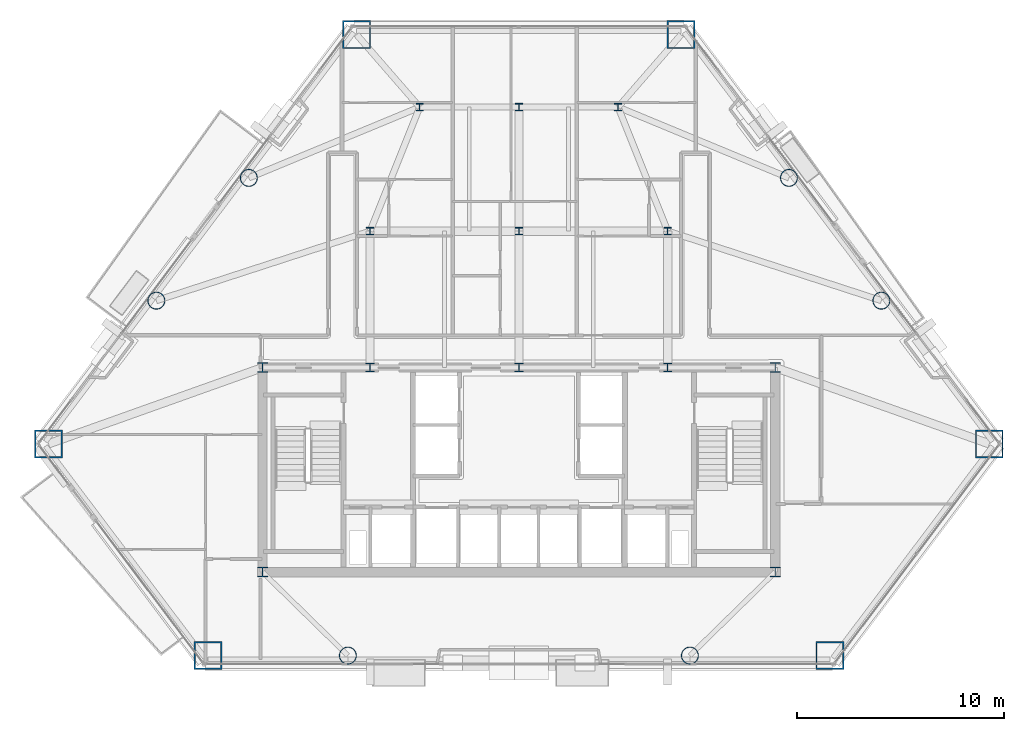
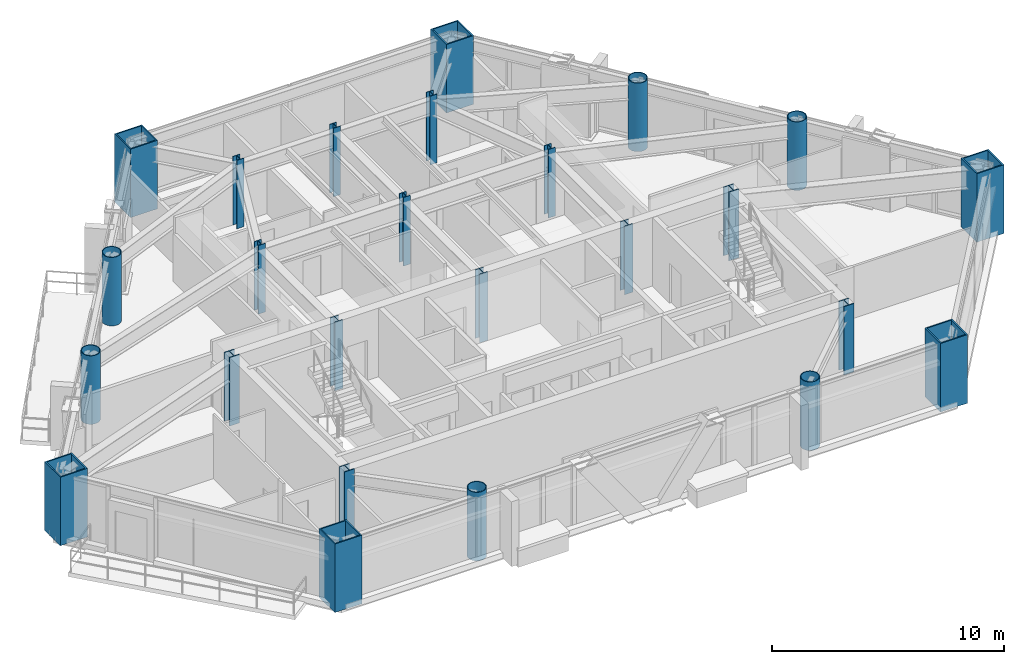
# One storey, part 1 of 11: 25 columns.
"""IFC4 building model written with IfcOpenShell, lengths in metres."""

from ifc_helpers import new_model, si_unit, direction, frame, origin, origin_2d, place, context, subcontext, project, spatial, hollow_rectangle, hollow_circle, i_section, extrude, material, material_profile, profile_set, type_object, element, save


model = new_model("IFC4")

# Units and contexts
model_context = context("Model", 3, precision=1e-05, world=origin(), true_north=direction((0.0, 1.0)))
body_context = subcontext(model_context, "Body", "Model", "MODEL_VIEW")
ifc_project = project(units=[si_unit("LENGTHUNIT", "METRE"), si_unit("AREAUNIT", "SQUARE_METRE"), si_unit("VOLUMEUNIT", "CUBIC_METRE"), si_unit("PLANEANGLEUNIT", "RADIAN"), si_unit("MASSUNIT", "GRAM", prefix="KILO")], contexts=[model_context])

# Site, building, storey
site_placement = place(None, origin())
site = spatial("IfcSite", under=ifc_project, at=site_placement, CompositionType="ELEMENT")
building_placement = place(site_placement, origin())
building = spatial("IfcBuilding", under=site, at=building_placement, Name="Talgorran Terracotta Tower", CompositionType="ELEMENT")
storey_placement = place(building_placement, frame((0.0, 0.0, 38.699951171875)))
storey = spatial("IfcBuildingStorey", under=building, at=storey_placement, Name="L09", CompositionType="ELEMENT", Elevation=38.699951171875)

# Columns
ifc_material_1 = material(Name="Steel S355 (300PLUS)", Category="steel")
ifc_material_profile_1 = material_profile(ifc_material_1, i_section(OverallWidth=0.35009765625, OverallDepth=0.366943359375, WebThickness=0.02490234375, FlangeThickness=0.031982421875, at=origin_2d()), Name="350WC258")
ifc_profile_set_1 = profile_set([ifc_material_profile_1], Name="Steel S355 (300PLUS)")
column_type_1 = type_object("IfcColumnType", Name="COL_350WC258", PredefinedType="COLUMN", material=ifc_profile_set_1)
for number, where, z_axis, x_axis, name in (
    (1, (-7.199951171875, 2.39990234375, 0.0), (0.0, 0.0, 1.0), (1.0, 0.0, 0.0), "L09 Interior Gravity Column IC1"),
    (2, (0.0, 2.39990234375, 0.0), (0.0, 0.0, 1.0), (1.0, 0.0, 0.0), "L09 Interior Gravity Column IC2"),
    (3, (7.199951171875, 2.39990234375, 0.0), (0.0, 0.0, 1.0), (1.0, 0.0, 0.0), "L09 Interior Gravity Column IC3"),
    (4, (-4.800048828125, 8.39990234375, 0.0), (0.0, 0.0, 1.0), (1.0, 0.0, 0.0), "L09 Interior Gravity Column IC4"),
    (5, (0.0, 8.39990234375, 0.0), (0.0, 0.0, 1.0), (1.0, 0.0, 0.0), "L09 Interior Gravity Column IC5"),
    (6, (4.800048828125, 8.39990234375, 0.0), (0.0, 0.0, 1.0), (1.0, 0.0, 0.0), "L09 Interior Gravity Column IC6"),
):
    element("IfcColumn", number, at=place(storey_placement, frame(where, z_axis=z_axis, x_axis=x_axis)), inside=storey, type_object=column_type_1, Name=name, PredefinedType="COLUMN", context=body_context, shape_type="SweptSolid", body=[
        extrude(i_section(OverallWidth=0.35009765625, OverallDepth=0.366943359375, WebThickness=0.02490234375, FlangeThickness=0.031982421875, at=origin_2d()), origin(), (0.0, 0.0, 1.0), 3.60009765625),
    ])
ifc_material_profile_2 = material_profile(ifc_material_1, i_section(OverallWidth=0.5, OverallDepth=0.48193359375, WebThickness=0.0400390625, FlangeThickness=0.044921875, at=origin_2d()), Name="500WC440")
ifc_profile_set_2 = profile_set([ifc_material_profile_2], Name="Steel S355 (300PLUS)")
column_type_2 = type_object("IfcColumnType", Name="COL_500WC440", PredefinedType="COLUMN", material=ifc_profile_set_2)
for number, where, z_axis, x_axis, name in (
    (7, (-12.39990234375, -14.10009765625, 0.0), (0.0, 0.0, 1.0), (1.0, 0.0, 0.0), "L09 Core Boundary Column CC1"),
    (8, (12.39990234375, -14.10009765625, 0.0), (0.0, 0.0, 1.0), (1.0, 0.0, 0.0), "L09 Core Boundary Column CC2"),
    (9, (12.39990234375, -4.199951171875, 0.0), (0.0, 0.0, 1.0), (1.0, 0.0, 0.0), "L09 Core Boundary Column CC3"),
    (10, (-12.39990234375, -4.199951171875, 0.0), (0.0, 0.0, 1.0), (1.0, 0.0, 0.0), "L09 Core Boundary Column CC4"),
):
    element("IfcColumn", number, at=place(storey_placement, frame(where, z_axis=z_axis, x_axis=x_axis)), inside=storey, type_object=column_type_2, Name=name, PredefinedType="COLUMN", context=body_context, shape_type="SweptSolid", body=[
        extrude(i_section(OverallWidth=0.5, OverallDepth=0.48193359375, WebThickness=0.0400390625, FlangeThickness=0.044921875, at=origin_2d()), origin(), (0.0, 0.0, 1.0), 3.60009765625),
    ])
ifc_material_2 = material(Name="Steel Grade 350 (350L0)", Category="steel")
ifc_material_profile_3 = material_profile(ifc_material_2, hollow_rectangle(XDim=1.35009765625, YDim=1.35009765625, WallThickness=0.06494140625, at=origin_2d()), Name="CFT1350X1350X65")
ifc_profile_set_3 = profile_set([ifc_material_profile_3], Name="Steel Grade 350 (350L0)")
column_type_3 = type_object("IfcColumnType", Name="COL_CFT_1350", PredefinedType="COLUMN", material=ifc_profile_set_3)
for number, where, z_axis, x_axis, name in (
    (11, (-22.759033203125, -7.892333984375, 0.0), (0.0, 0.0, 1.0), (1.0, 0.0, 0.0), "L09 Corner CFT Mega-Column MC1"),
    (12, (-15.0439453125, -18.135498046875, 0.0), (0.0, 0.0, 1.0), (1.0, 0.0, 0.0), "L09 Corner CFT Mega-Column MC2"),
    (13, (15.0439453125, -18.135498046875, 0.0), (0.0, 0.0, 1.0), (1.0, 0.0, 0.0), "L09 Corner CFT Mega-Column MC3"),
    (14, (22.759033203125, -7.892333984375, 0.0), (0.0, 0.0, 1.0), (1.0, 0.0, 0.0), "L09 Corner CFT Mega-Column MC4"),
    (15, (7.847412109375, 11.90576171875, 0.0), (0.0, 0.0, 1.0), (1.0, 0.0, 0.0), "L09 Corner CFT Mega-Column MC5"),
    (16, (-7.847412109375, 11.90576171875, 0.0), (0.0, 0.0, 1.0), (1.0, 0.0, 0.0), "L09 Corner CFT Mega-Column MC6"),
):
    element("IfcColumn", number, at=place(storey_placement, frame(where, z_axis=z_axis, x_axis=x_axis)), inside=storey, type_object=column_type_3, Name=name, PredefinedType="COLUMN", context=body_context, shape_type="SweptSolid", body=[
        extrude(hollow_rectangle(XDim=1.35009765625, YDim=1.35009765625, WallThickness=0.06494140625, at=origin_2d()), origin(), (0.0, 0.0, 1.0), 3.60009765625),
    ])
ifc_material_profile_4 = material_profile(ifc_material_2, hollow_circle(Radius=0.425048828125, WallThickness=0.0380859375, at=origin_2d()), Name="CHS850X38")
ifc_profile_set_4 = profile_set([ifc_material_profile_4], Name="Steel Grade 350 (350L0)")
column_type_4 = type_object("IfcColumnType", Name="COL_CHS_850", PredefinedType="COLUMN", material=ifc_profile_set_4)
for number, where, z_axis, x_axis, name in (
    (17, (-8.274169921875, -18.135498046875, 0.0), (0.0, 0.0, 1.0), (1.0, 0.0, 0.0), "L09 Facet Perimeter Column FC1"),
    (18, (8.274169921875, -18.135498046875, 0.0), (0.0, 0.0, 1.0), (1.0, 0.0, 0.0), "L09 Facet Perimeter Column FC2"),
    (19, (17.539794921875, -0.963134765625, 0.0), (0.0, 0.0, 1.0), (1.0, 0.0, 0.0), "L09 Facet Perimeter Column FC3"),
    (20, (13.06640625, 4.976318359375, 0.0), (0.0, 0.0, 1.0), (1.0, 0.0, 0.0), "L09 Facet Perimeter Column FC4"),
    (21, (-13.06640625, 4.976318359375, 0.0), (0.0, 0.0, 1.0), (1.0, 0.0, 0.0), "L09 Facet Perimeter Column FC5"),
    (22, (-17.539794921875, -0.963134765625, 0.0), (0.0, 0.0, 1.0), (1.0, 0.0, 0.0), "L09 Facet Perimeter Column FC6"),
):
    element("IfcColumn", number, at=place(storey_placement, frame(where, z_axis=z_axis, x_axis=x_axis)), inside=storey, type_object=column_type_4, Name=name, PredefinedType="COLUMN", context=body_context, shape_type="SweptSolid", body=[
        extrude(hollow_circle(Radius=0.425048828125, WallThickness=0.0380859375, at=origin_2d()), origin(), (0.0, 0.0, 1.0), 3.60009765625),
    ])
ifc_material_profile_5 = material_profile(ifc_material_1, i_section(OverallWidth=0.405029296875, OverallDepth=0.4140625, WebThickness=0.02197265625, FlangeThickness=0.031982421875, at=origin_2d()), Name="400WC270")
ifc_profile_set_5 = profile_set([ifc_material_profile_5], Name="Steel S355 (300PLUS)")
column_type_5 = type_object("IfcColumnType", Name="COL_PIL_400WC270", PredefinedType="PILASTER", material=ifc_profile_set_5)
for number, where, z_axis, x_axis, name in (
    (23, (-7.199951171875, -4.199951171875, 0.0), (0.0, 0.0, 1.0), (1.0, 0.0, 0.0), "L09 Core Shear Pilaster CP1"),
    (24, (0.0, -4.199951171875, 0.0), (0.0, 0.0, 1.0), (1.0, 0.0, 0.0), "L09 Core Shear Pilaster CP2"),
    (25, (7.199951171875, -4.199951171875, 0.0), (0.0, 0.0, 1.0), (1.0, 0.0, 0.0), "L09 Core Shear Pilaster CP3"),
):
    element("IfcColumn", number, at=place(storey_placement, frame(where, z_axis=z_axis, x_axis=x_axis)), inside=storey, type_object=column_type_5, Name=name, PredefinedType="PILASTER", context=body_context, shape_type="SweptSolid", body=[
        extrude(i_section(OverallWidth=0.405029296875, OverallDepth=0.4140625, WebThickness=0.02197265625, FlangeThickness=0.031982421875, at=origin_2d()), origin(), (0.0, 0.0, 1.0), 3.60009765625),
    ])

save(model, "model.ifc")
